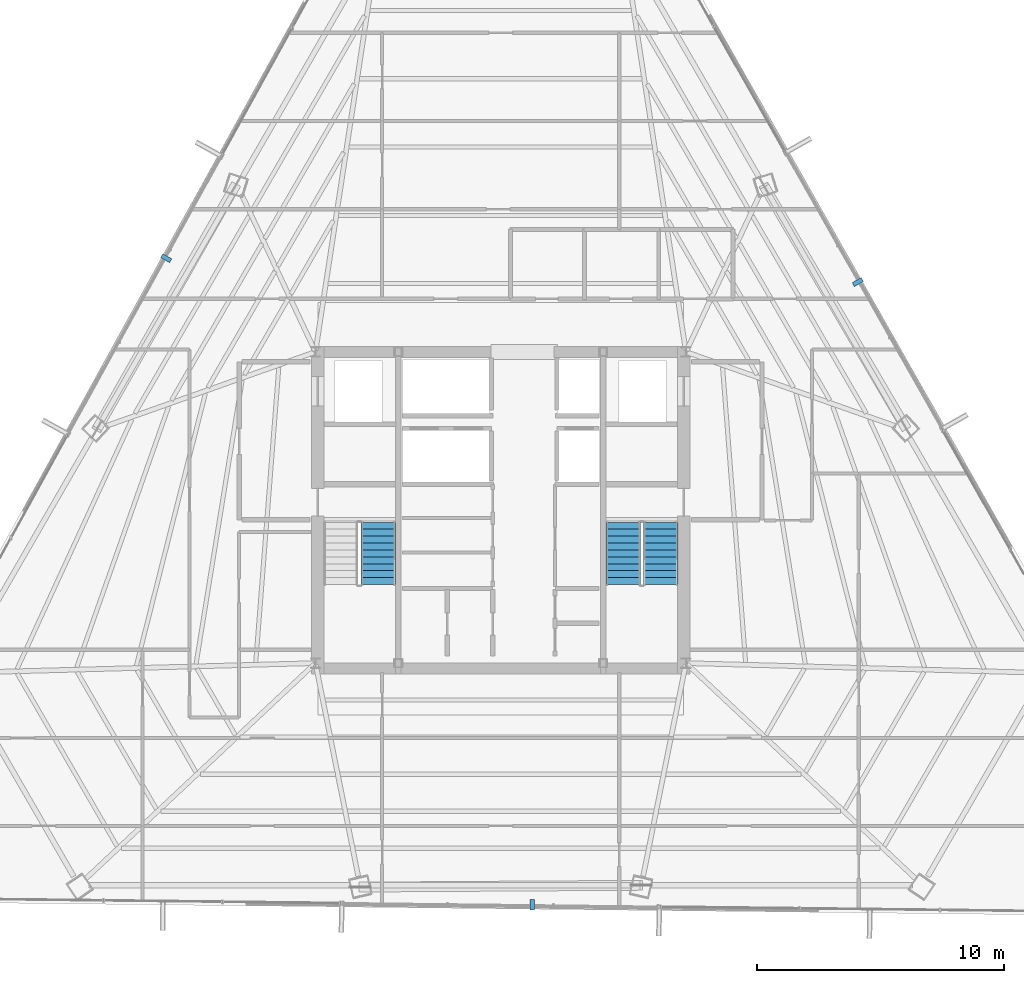
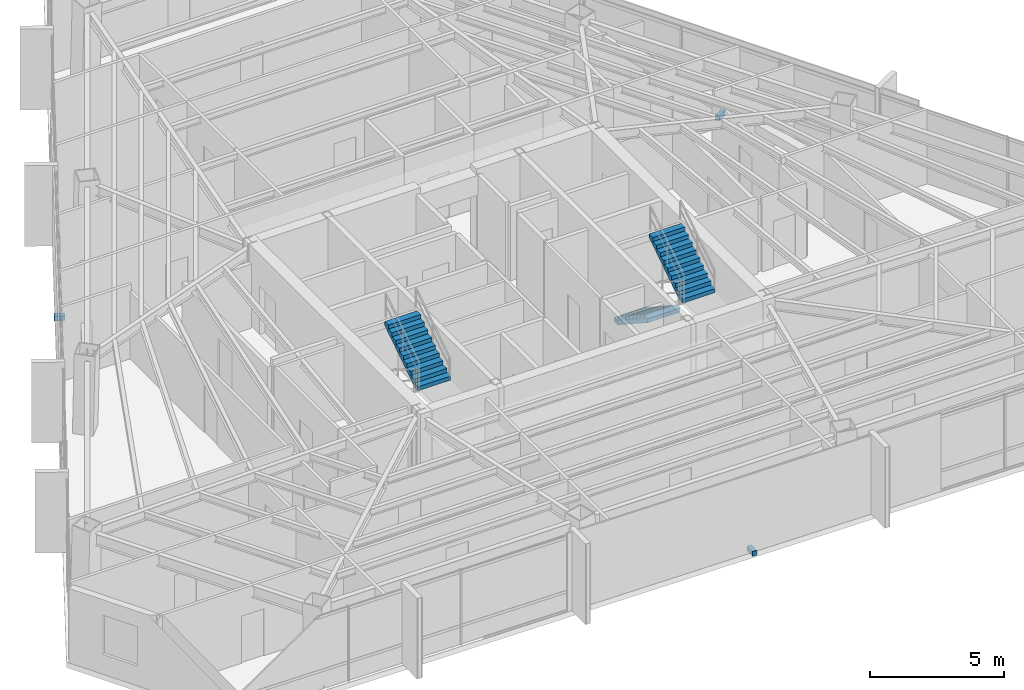
# One storey, part 39 of 42: 3 discrete accessories, 3 stair flights, 2 elements without a shape of their own.
"""IFC4 building model written with IfcOpenShell, lengths in metres."""

from ifc_helpers import new_model, si_unit, direction, frame, origin, origin_2d, place, context, subcontext, project, spatial, polyline, rectangle, outline, extrude, source, transform, mapped, material, type_object, type_shapes, element, aggregate, save


model = new_model("IFC4")

# Units and contexts
model_context = context("Model", 3, precision=1e-05, world=origin(), true_north=direction((0.0, 1.0)))
body_context = subcontext(model_context, "Body", "Model", "MODEL_VIEW")
ifc_project = project(units=[si_unit("LENGTHUNIT", "METRE"), si_unit("AREAUNIT", "SQUARE_METRE"), si_unit("VOLUMEUNIT", "CUBIC_METRE"), si_unit("PLANEANGLEUNIT", "RADIAN"), si_unit("MASSUNIT", "GRAM", prefix="KILO")], contexts=[model_context])

# Site, building, storey
site_placement = place(None, origin())
site = spatial("IfcSite", under=ifc_project, at=site_placement, CompositionType="ELEMENT")
building_placement = place(site_placement, origin())
building = spatial("IfcBuilding", under=site, at=building_placement, Name="Caelisora Broadcast Tower", CompositionType="ELEMENT")
storey_placement = place(building_placement, frame((0.0, 0.0, 205.949951171875)))
storey = spatial("IfcBuildingStorey", under=building, at=storey_placement, Name="L54", CompositionType="ELEMENT", Elevation=205.949951171875)

# Stair, stair flight
ifc_material_1 = material(Name="Concrete 40 MPa (AS 3600 N40)", Category="concrete")
stair_type_1 = type_object("IfcStairType", Name="ST-1", PredefinedType="HALF_TURN_STAIR", material=ifc_material_1)
stair_1_placement = place(storey_placement, origin())
stair_1 = element("IfcStair", 1, at=stair_1_placement, inside=storey, type_object=stair_type_1, Name="L54 West Fire-Isolated Tower Stair", PredefinedType="HALF_TURN_STAIR")
stair_flight_type = type_object("IfcStairFlightType", Name="STF-3", PredefinedType="STRAIGHT", material=ifc_material_1)
stair_flight_1_placement = place(storey_placement, frame((33.0400390625, 20.580078125, 1.824951171875), z_axis=(0.0, 0.0, 1.0), x_axis=(0.0, 1.0, 0.0)))
stair_flight_1 = element("IfcStairFlight", 2, at=stair_flight_1_placement, type_object=stair_flight_type, Name="ST-1 flight 2", NumberOfRisers=10, NumberOfTreads=9, PredefinedType="STRAIGHT", RiserHeight=0.1825, TreadLength=0.28, context=body_context, shape_type="SweptSolid", body=[
    extrude(outline(polyline([(0.0, 0.0), (0.0, 0.1826171875), (0.280029296875, 0.1826171875), (0.280029296875, 0.364990234375), (0.56005859375, 0.364990234375), (0.56005859375, 0.547607421875), (0.840087890625, 0.547607421875), (0.840087890625, 0.72998046875), (1.1201171875, 0.72998046875), (1.1201171875, 0.91259765625), (1.39990234375, 0.91259765625), (1.39990234375, 1.094970703125), (1.679931640625, 1.094970703125), (1.679931640625, 1.277587890625), (1.9599609375, 1.277587890625), (1.9599609375, 1.4599609375), (2.239990234375, 1.4599609375), (2.239990234375, 1.642578125), (2.52001953125, 1.642578125), (2.52001953125, 1.824951171875), (2.52001953125, 1.463623046875), (0.2744140625, 0.0), (0.0, 0.0)])), frame((0.0, 0.699951171875, 0.0), z_axis=(0.0, -1.0, 0.0), x_axis=(1.0, 0.0, 0.0)), (0.0, 0.0, 1.0), 1.39990234375),
])
aggregate(stair_1, [stair_flight_1])

# Stair, stair flights
stair_type_2 = type_object("IfcStairType", Name="ST-2", PredefinedType="HALF_TURN_STAIR", material=ifc_material_1)
stair_2_placement = place(storey_placement, origin())
stair_2 = element("IfcStair", 3, at=stair_2_placement, inside=storey, type_object=stair_type_2, Name="L54 East Fire-Isolated Tower Stair", PredefinedType="HALF_TURN_STAIR")
stair_flight_2_placement = place(storey_placement, frame((42.9599609375, 23.10009765625, 0.0), z_axis=(0.0, 0.0, 1.0), x_axis=(0.0, -1.0, 0.0)))
stair_flight_2 = element("IfcStairFlight", 4, at=stair_flight_2_placement, type_object=stair_flight_type, Name="ST-2 flight 1", NumberOfRisers=10, NumberOfTreads=9, PredefinedType="STRAIGHT", RiserHeight=0.1825, TreadLength=0.28, context=body_context, shape_type="SweptSolid", body=[
    extrude(outline(polyline([(0.0, 0.0), (0.0, 0.1826171875), (0.280029296875, 0.1826171875), (0.280029296875, 0.364990234375), (0.56005859375, 0.364990234375), (0.56005859375, 0.547607421875), (0.840087890625, 0.547607421875), (0.840087890625, 0.72998046875), (1.1201171875, 0.72998046875), (1.1201171875, 0.91259765625), (1.39990234375, 0.91259765625), (1.39990234375, 1.094970703125), (1.679931640625, 1.094970703125), (1.679931640625, 1.277587890625), (1.9599609375, 1.277587890625), (1.9599609375, 1.4599609375), (2.239990234375, 1.4599609375), (2.239990234375, 1.642578125), (2.52001953125, 1.642578125), (2.52001953125, 1.824951171875), (2.52001953125, 1.463623046875), (0.2744140625, 0.0), (0.0, 0.0)])), frame((0.0, 0.699951171875, 0.0), z_axis=(0.0, -1.0, 0.0), x_axis=(1.0, 0.0, 0.0)), (0.0, 0.0, 1.0), 1.39990234375),
])
stair_flight_3_placement = place(storey_placement, frame((44.47998046875, 20.580078125, 1.824951171875), z_axis=(0.0, 0.0, 1.0), x_axis=(0.0, 1.0, 0.0)))
stair_flight_3 = element("IfcStairFlight", 5, at=stair_flight_3_placement, type_object=stair_flight_type, Name="ST-2 flight 2", NumberOfRisers=10, NumberOfTreads=9, PredefinedType="STRAIGHT", RiserHeight=0.1825, TreadLength=0.28, context=body_context, shape_type="SweptSolid", body=[
    extrude(outline(polyline([(0.0, 0.0), (0.0, 0.1826171875), (0.280029296875, 0.1826171875), (0.280029296875, 0.364990234375), (0.56005859375, 0.364990234375), (0.56005859375, 0.547607421875), (0.840087890625, 0.547607421875), (0.840087890625, 0.72998046875), (1.1201171875, 0.72998046875), (1.1201171875, 0.91259765625), (1.39990234375, 0.91259765625), (1.39990234375, 1.094970703125), (1.679931640625, 1.094970703125), (1.679931640625, 1.277587890625), (1.9599609375, 1.277587890625), (1.9599609375, 1.4599609375), (2.239990234375, 1.4599609375), (2.239990234375, 1.642578125), (2.52001953125, 1.642578125), (2.52001953125, 1.824951171875), (2.52001953125, 1.463623046875), (0.2744140625, 0.0), (0.0, 0.0)])), frame((0.0, 0.699951171875, 0.0), z_axis=(0.0, -1.0, 0.0), x_axis=(1.0, 0.0, 0.0)), (0.0, 0.0, 1.0), 1.39990234375),
])
aggregate(stair_2, [stair_flight_2, stair_flight_3])

# Discrete accessories
ifc_material_2 = material(Name="Steel Grade 350 (AS/NZS 3679.1)", Category="steel")
discrete_accessory_type = type_object("IfcDiscreteAccessoryType", Name="BRK-1", PredefinedType="BRACKET", material=ifc_material_2)
shared_shape = source(origin(), body_context, "Body", "SweptSolid", [
    extrude(rectangle(XDim=0.179931640625, YDim=0.419921875, at=origin_2d()), origin(), (0.0, 0.0, 1.0), 0.219970703125),
])
type_shapes(discrete_accessory_type, [shared_shape])
for number, where, z_axis, x_axis, name in (
    (6, (24.45703125, 33.79345703125, -0.16015625), (0.0, 0.0, 1.0), (-0.48312957851, -0.875548862354, 0.0), "L54 solar screen outrigger bracket #1"),
    (7, (39.283447265625, 7.62060546875, -0.16015625), (0.0, 0.0, 1.0), (0.99993565026, -0.011344396795, 0.0), "L54 solar screen outrigger bracket #2"),
    (8, (52.4599609375, 32.828857421875, -0.16015625), (0.0, 0.0, 1.0), (-0.493031062956, 0.87001170737, 0.0), "L54 solar screen outrigger bracket #3"),
):
    element("IfcDiscreteAccessory", number, at=place(storey_placement, frame(where, z_axis=z_axis, x_axis=x_axis)), inside=storey, type_object=discrete_accessory_type, Name=name, PredefinedType="BRACKET", context=body_context, shape_type="MappedRepresentation", body=[
        mapped(shared_shape, transform((0.0, 0.0, 0.0), scale=1.0)),
    ])

save(model, "model.ifc")
